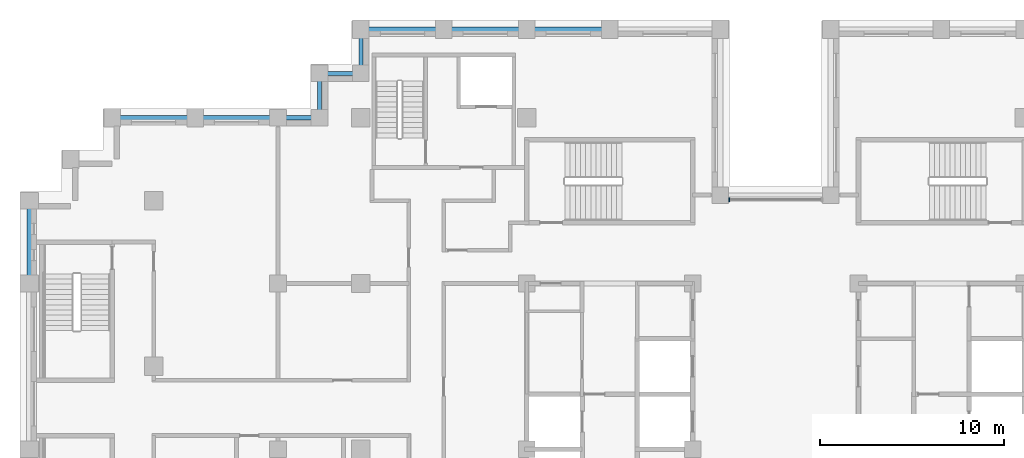
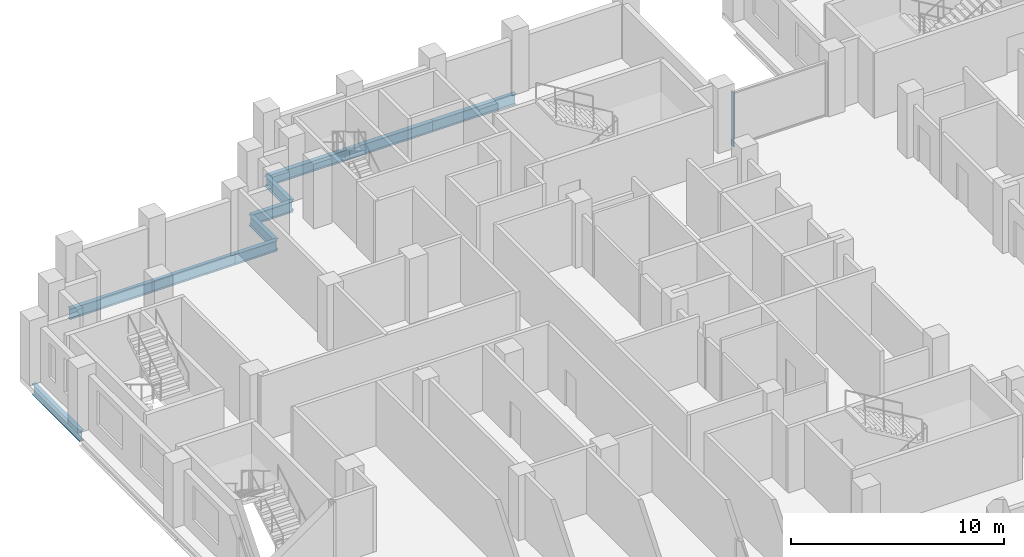
# One storey, part 3 of 15: 10 beams, 1 member, 1 element without a shape of its own.
"""IFC4 building model written with IfcOpenShell, lengths in metres."""

from ifc_helpers import new_model, si_unit, direction, frame, origin, origin_2d, place, context, subcontext, project, spatial, rectangle, i_section, extrude, material, layer, layer_set, material_profile, profile_set, type_object, element, aggregate, save


model = new_model("IFC4")

# Units and contexts
model_context = context("Model", 3, precision=1e-05, world=origin(), true_north=direction((0.0, 1.0)))
body_context = subcontext(model_context, "Body", "Model", "MODEL_VIEW")
ifc_project = project(units=[si_unit("LENGTHUNIT", "METRE"), si_unit("AREAUNIT", "SQUARE_METRE"), si_unit("VOLUMEUNIT", "CUBIC_METRE"), si_unit("PLANEANGLEUNIT", "RADIAN"), si_unit("MASSUNIT", "GRAM", prefix="KILO")], contexts=[model_context])

# Site, building, storey
site_placement = place(None, origin())
site = spatial("IfcSite", under=ifc_project, at=site_placement, CompositionType="ELEMENT")
building_placement = place(site_placement, origin())
building = spatial("IfcBuilding", under=site, at=building_placement, Name="Corbelhall Arena Tower", CompositionType="ELEMENT")
storey_placement = place(building_placement, frame((0.0, 0.0, 220.0)))
storey = spatial("IfcBuildingStorey", under=building, at=storey_placement, Name="L46", CompositionType="ELEMENT", Elevation=220.0)

# Curtain wall, member
ifc_material_1 = material(Name="Aluminium black anodised", Category="aluminium")
ifc_layer = layer(ifc_material_1, 0.199951171875)
ifc_layer_set = layer_set([ifc_layer], Name="EV-CW1 Slot back wall")
curtain_wall_type = type_object("IfcCurtainWallType", Name="EV-CW1 Slot back wall", PredefinedType="NOTDEFINED", material=ifc_layer_set)
curtain_wall_placement = place(storey_placement, origin())
curtain_wall = element("IfcCurtainWall", 1, at=curtain_wall_placement, inside=storey, type_object=curtain_wall_type, Name="Curtain wall CW1", PredefinedType="NOTDEFINED")
ifc_material_profile_1 = material_profile(ifc_material_1, rectangle(XDim=0.199951171875, YDim=0.074951171875, at=origin_2d()))
ifc_profile_set_1 = profile_set([ifc_material_profile_1], Name="Aluminium black anodised")
member_type = type_object("IfcMemberType", Name="EV-CW1-MULLION", PredefinedType="MULLION", material=ifc_profile_set_1)
member_placement = place(storey_placement, frame((-2.512451171875, 13.550048828125, 0.0), z_axis=(0.0, 0.0, 1.0), x_axis=(0.0, -1.0, 0.0)))
member = element("IfcMember", 2, at=member_placement, type_object=member_type, Name="CW1 mullion 2", PredefinedType="MULLION", context=body_context, shape_type="SweptSolid", body=[
    extrude(rectangle(XDim=0.199951171875, YDim=0.074951171875, at=origin_2d()), origin(), (0.0, 0.0, 1.0), 3.1201171875),
])
aggregate(curtain_wall, [member])

# Beams
ifc_material_2 = material(Name="Steel ASTM A992 Gr50", Category="steel")
ifc_material_profile_2 = material_profile(ifc_material_2, i_section(OverallWidth=0.228271484375, OverallDepth=0.607177734375, WebThickness=0.01123046875, FlangeThickness=0.017333984375, at=origin_2d()))
ifc_profile_set_2 = profile_set([ifc_material_profile_2], Name="Steel ASTM A992 Gr50")
beam_type = type_object("IfcBeamType", Name="ST-SPANDREL-W24x76", PredefinedType="SPANDREL", material=ifc_profile_set_2)
for number, where, z_axis, x_axis, name in (
    (3, (-40.5, 9.0, -0.58349609375), (0.0, 1.0, 0.0), (-1.0, 0.0, 0.0), "Beam SP 2"),
    (4, (-31.5, 18.0, -0.58349609375), (1.0, 0.0, 0.0), (0.0, 1.0, 0.0), "Beam SP 5"),
    (5, (-36.0, 18.0, -0.58349609375), (1.0, 0.0, 0.0), (0.0, 1.0, 0.0), "Beam SP 6"),
    (6, (-13.5, 22.800048828125, -0.58349609375), (1.0, 0.0, 0.0), (0.0, 1.0, 0.0), "Beam SP 20"),
    (7, (-18.0, 22.800048828125, -0.58349609375), (1.0, 0.0, 0.0), (0.0, 1.0, 0.0), "Beam SP 21"),
    (8, (-22.5, 22.800048828125, -0.58349609375), (1.0, 0.0, 0.0), (0.0, 1.0, 0.0), "Beam SP 22"),
):
    element("IfcBeam", number, at=place(storey_placement, frame(where, z_axis=z_axis, x_axis=x_axis)), inside=storey, type_object=beam_type, Name=name, PredefinedType="SPANDREL", context=body_context, shape_type="SweptSolid", body=[
        extrude(i_section(OverallWidth=0.228271484375, OverallDepth=0.607177734375, WebThickness=0.01123046875, FlangeThickness=0.017333984375, at=origin_2d()), origin(), (0.0, 0.0, 1.0), 4.5),
    ])
beam_1_placement = place(storey_placement, frame((-27.0, 18.0, -0.58349609375), z_axis=(1.0, 0.0, 0.0), x_axis=(0.0, 1.0, 0.0)))
element("IfcBeam", 9, at=beam_1_placement, inside=storey, type_object=beam_type, Name="Beam SP 33", PredefinedType="SPANDREL", context=body_context, shape_type="SweptSolid", body=[
    extrude(i_section(OverallWidth=0.228271484375, OverallDepth=0.607177734375, WebThickness=0.01123046875, FlangeThickness=0.017333984375, at=origin_2d()), origin(), (0.0, 0.0, 1.0), 2.25),
])
beam_2_placement = place(storey_placement, frame((-22.5, 20.39990234375, -0.58349609375), z_axis=(0.0, 1.0, 0.0), x_axis=(-1.0, 0.0, 0.0)))
element("IfcBeam", 10, at=beam_2_placement, inside=storey, type_object=beam_type, Name="Beam SP 42", PredefinedType="SPANDREL", context=body_context, shape_type="SweptSolid", body=[
    extrude(i_section(OverallWidth=0.228271484375, OverallDepth=0.607177734375, WebThickness=0.01123046875, FlangeThickness=0.017333984375, at=origin_2d()), origin(), (0.0, 0.0, 1.0), 2.400146484375),
])
beam_3_placement = place(storey_placement, frame((-24.75, 20.39990234375, -0.58349609375), z_axis=(1.0, 0.0, 0.0), x_axis=(0.0, 1.0, 0.0)))
element("IfcBeam", 11, at=beam_3_placement, inside=storey, type_object=beam_type, Name="Beam SP 43", PredefinedType="SPANDREL", context=body_context, shape_type="SweptSolid", body=[
    extrude(i_section(OverallWidth=0.228271484375, OverallDepth=0.607177734375, WebThickness=0.01123046875, FlangeThickness=0.017333984375, at=origin_2d()), origin(), (0.0, 0.0, 1.0), 2.25),
])
beam_4_placement = place(storey_placement, frame((-24.75, 18.0, -0.58349609375), z_axis=(0.0, 1.0, 0.0), x_axis=(-1.0, 0.0, 0.0)))
element("IfcBeam", 12, at=beam_4_placement, inside=storey, type_object=beam_type, Name="Beam SP 44", PredefinedType="SPANDREL", context=body_context, shape_type="SweptSolid", body=[
    extrude(i_section(OverallWidth=0.228271484375, OverallDepth=0.607177734375, WebThickness=0.01123046875, FlangeThickness=0.017333984375, at=origin_2d()), origin(), (0.0, 0.0, 1.0), 2.39990234375),
])

save(model, "model.ifc")
